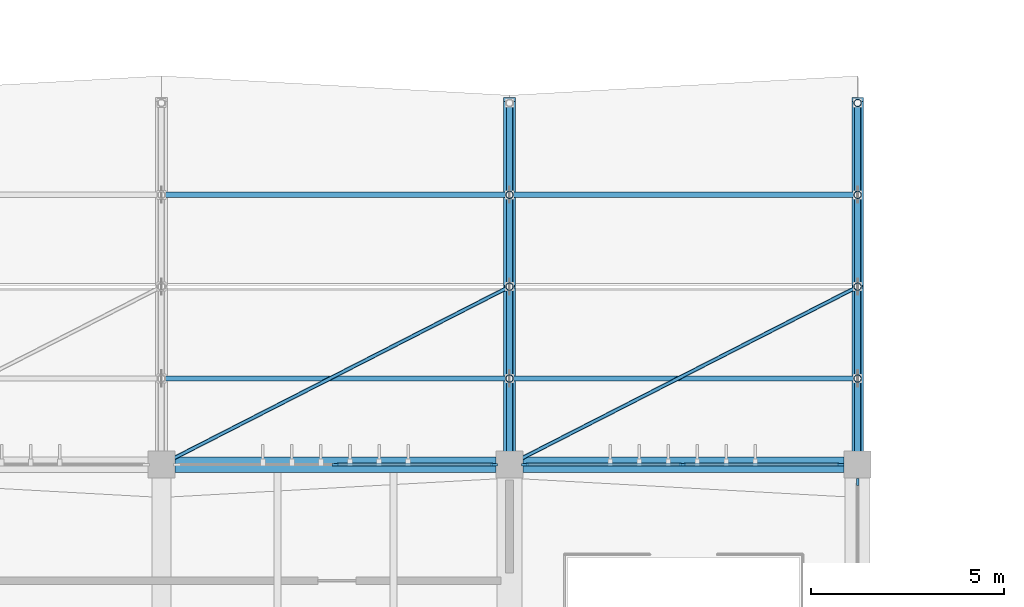
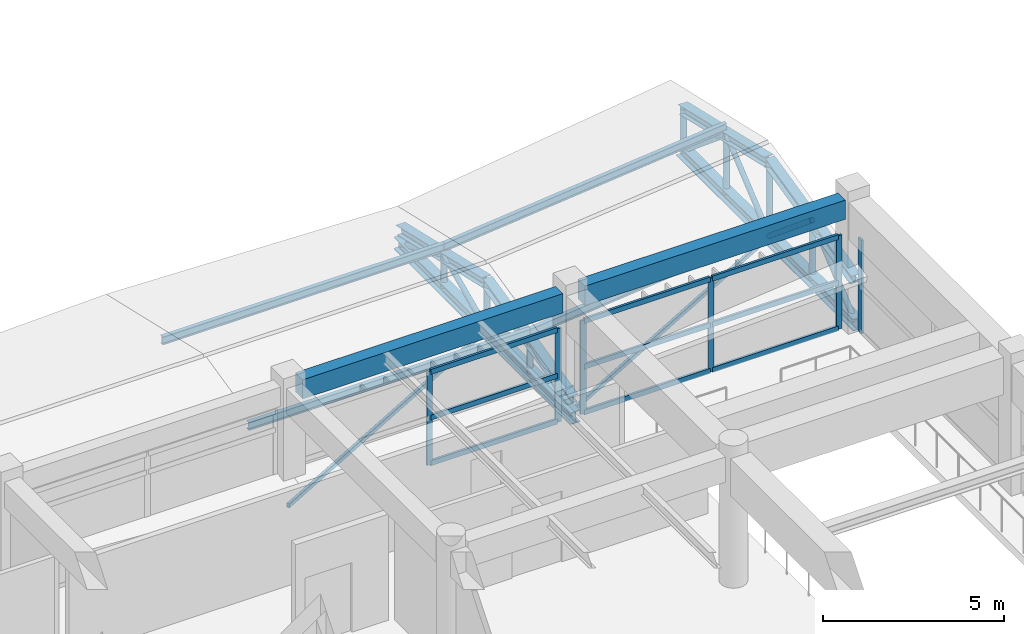
# One storey, part 20 of 90: 40 members, 4 beams, 3 elements without a shape of their own.
"""IFC4 building model written with IfcOpenShell, lengths in metres."""

import ifcopenshell
import ifcopenshell.guid

model = None  # the IFC model being written
_history = None  # IfcOwnerHistory: only IFC2X3 demands one
_inside = {}  # id of a spatial element -> (the spatial element, [elements in it])
_under = {}  # id of a project, library or spatial element -> (it, [spatial elements below it])
_declared = {}  # id of a project -> (the project, [libraries it declares])
_typed = {}  # id of a type object -> (the type object, [elements of that type])
_made_of = {}  # id of a material, layer set ... -> (it, [elements and type objects made of it])


def new_model(schema):
    """Start an empty IFC model of exactly this schema.

    Asked for "IFC4X3", IfcOpenShell would pick the latest addendum, in which some entities
    have other attributes; the version numbers below select the first issue.
    IFC2X3 requires an IfcOwnerHistory on every rooted entity: one is made here for all.
    """
    global model, _history
    if schema == "IFC4X3":
        model = ifcopenshell.file(schema_version=(4, 3, 0, 0))
    else:
        model = ifcopenshell.file(schema=schema)
    _inside.clear()
    _under.clear()
    _declared.clear()
    _typed.clear()
    _made_of.clear()
    _history = None
    if model.schema == "IFC2X3":
        org = make("IfcOrganization", Name="unknown")
        user = make(
            "IfcPersonAndOrganization",
            ThePerson=make("IfcPerson", FamilyName="unknown"),
            TheOrganization=org,
        )
        app = make(
            "IfcApplication",
            ApplicationDeveloper=org,
            Version="unknown",
            ApplicationFullName="unknown",
            ApplicationIdentifier="unknown",
        )
        _history = make(
            "IfcOwnerHistory",
            OwningUser=user,
            OwningApplication=app,
            ChangeAction="ADDED",
            CreationDate=0,
        )
    return model


def make(cls, **values):
    """One entity of the class cls with the attributes given. An attribute that is None is left unset."""
    return model.create_entity(
        cls, **{name: value for name, value in values.items() if value is not None}
    )


def rooted(cls, **values):
    """An entity with a GlobalId (a new one), such as an element, a storey or a relation."""
    return make(cls, GlobalId=ifcopenshell.guid.new(), OwnerHistory=_history, **values)


def si_unit(unit_type, name, prefix=None):
    """IfcSIUnit, for example si_unit("LENGTHUNIT", "METRE", prefix="MILLI")."""
    return make("IfcSIUnit", UnitType=unit_type, Prefix=prefix, Name=name)


def assignment(units):
    """IfcUnitAssignment: the units of a project."""
    return None if units is None else make("IfcUnitAssignment", Units=units)


def point(xyz):
    """IfcCartesianPoint."""
    return None if xyz is None else make("IfcCartesianPoint", Coordinates=xyz)


def direction(xyz):
    """IfcDirection."""
    return None if xyz is None else make("IfcDirection", DirectionRatios=xyz)


def frame(location, z_axis=None, x_axis=None):
    """IfcAxis2Placement3D, a coordinate frame: its origin and axes. An axis left out is left unset."""
    return make(
        "IfcAxis2Placement3D",
        Location=point(location),
        Axis=direction(z_axis),
        RefDirection=direction(x_axis),
    )


def frame_2d(location, x_axis=None):
    """IfcAxis2Placement2D, a coordinate frame in the plane: its origin and x axis."""
    return make(
        "IfcAxis2Placement2D", Location=point(location), RefDirection=direction(x_axis)
    )


def origin():
    """The frame at (0, 0, 0) with its axes left unset."""
    return frame((0.0, 0.0, 0.0))


def origin_2d():
    """The frame at (0, 0) in the plane with its x axis left unset."""
    return frame_2d((0.0, 0.0))


def place(relative_to, where):
    """IfcLocalPlacement: puts the frame where relative to a parent placement (None: the world)."""
    return make(
        "IfcLocalPlacement", PlacementRelTo=relative_to, RelativePlacement=where
    )


def context(
    kind, dimensions, precision=None, world=None, true_north=None, identifier=None
):
    """IfcGeometricRepresentationContext, for example the 3D "Model" context."""
    return make(
        "IfcGeometricRepresentationContext",
        ContextIdentifier=identifier,
        ContextType=kind,
        CoordinateSpaceDimension=dimensions,
        Precision=precision,
        WorldCoordinateSystem=world,
        TrueNorth=true_north,
    )


def subcontext(parent, identifier, kind, view, scale=None):
    """IfcGeometricRepresentationSubContext, for example "Body" below "Model"."""
    return make(
        "IfcGeometricRepresentationSubContext",
        ContextIdentifier=identifier,
        ContextType=kind,
        ParentContext=parent,
        TargetScale=scale,
        TargetView=view,
    )


def project(units=None, contexts=None):
    """IfcProject with its units and contexts."""
    return rooted(
        "IfcProject",
        Name="project",
        RepresentationContexts=contexts,
        UnitsInContext=assignment(units),
    )


def spatial(cls, under=None, at=None, **own):
    """A site, building, storey or space (cls), placed at a placement, below another one or the project."""
    s = rooted(cls, ObjectPlacement=at, **own)
    if under is not None:
        _under.setdefault(under.id(), (under, []))[1].append(s)
    return s


def profile(cls, at=None, kind="AREA", **sizes):
    """A parametric profile (cls). Its sizes go by their IFC names, for example OverallWidth=200.0."""
    return make(cls, ProfileType=kind, Position=at, **sizes)


def rectangle(**sizes):
    """IfcRectangleProfileDef."""
    return profile("IfcRectangleProfileDef", **sizes)


def hollow_rectangle(**sizes):
    """IfcRectangleHollowProfileDef."""
    return profile("IfcRectangleHollowProfileDef", **sizes)


def hollow_circle(**sizes):
    """IfcCircleHollowProfileDef."""
    return profile("IfcCircleHollowProfileDef", **sizes)


def i_section(**sizes):
    """IfcIShapeProfileDef."""
    return profile("IfcIShapeProfileDef", **sizes)


def extrude(swept, where, along, depth):
    """IfcExtrudedAreaSolid: the profile swept, set in the frame where, extruded along a direction by depth."""
    return make(
        "IfcExtrudedAreaSolid",
        SweptArea=swept,
        Position=where,
        ExtrudedDirection=direction(along),
        Depth=depth,
    )


def shape(context_of_items, identifier, shape_type, items):
    """IfcShapeRepresentation: the items that make up one representation, for example the "Body"."""
    return make(
        "IfcShapeRepresentation",
        ContextOfItems=context_of_items,
        RepresentationIdentifier=identifier,
        RepresentationType=shape_type,
        Items=items,
    )


def material(Name=None, Category=None):
    """IfcMaterial."""
    return make("IfcMaterial", Name=Name, Category=Category)


def material_profile(
    of_material, cross_section, Name=None, Category=None, Priority=None
):
    """IfcMaterialProfile: a cross section and its material."""
    return make(
        "IfcMaterialProfile",
        Name=Name,
        Material=of_material,
        Profile=cross_section,
        Priority=Priority,
        Category=Category,
    )


def profile_set(profiles, Name=None, composite=None):
    """IfcMaterialProfileSet."""
    return make(
        "IfcMaterialProfileSet",
        Name=Name,
        MaterialProfiles=profiles,
        CompositeProfile=composite,
    )


def made_of(thing, what):
    """Note that an element or type object is made of a material, layer set ...; save() writes the relation."""
    if what is not None:
        _made_of.setdefault(what.id(), (what, []))[1].append(thing)
    return thing


def type_object(cls, material=None, **own):
    """A type object (cls), such as IfcWallType, which elements share."""
    return made_of(rooted(cls, **own), material)


def element(
    cls,
    number,
    at=None,
    inside=None,
    cuts=None,
    type_object=None,
    material=None,
    context=None,
    identifier="Body",
    shape_type=None,
    held_by="IfcProductDefinitionShape",
    body=None,
    shapes=None,
    **own,
):
    """One element of the class cls, such as IfcWall. Its Tag is "e" and its number.

    at: its placement. inside: the storey or other place that contains it. cuts: it is an
    opening in that element (IfcRelVoidsElement). A single representation is given by context,
    identifier, shape_type and body (its items); several are given by shapes. held_by: the class
    of the entity that holds the representations. save() writes the other relations.
    """
    e = rooted(cls, Tag="e%d" % number, ObjectPlacement=at, **own)
    if body is not None:
        shapes = [shape(context, identifier, shape_type, body)]
    if shapes is not None:
        e.Representation = make(held_by, Representations=shapes)
    if inside is not None:
        _inside.setdefault(inside.id(), (inside, []))[1].append(e)
    if cuts is not None:
        rooted(
            "IfcRelVoidsElement", RelatingBuildingElement=cuts, RelatedOpeningElement=e
        )
    if type_object is not None:
        _typed.setdefault(type_object.id(), (type_object, []))[1].append(e)
    return made_of(e, material)


def aggregate(whole, parts):
    """IfcRelAggregates: a whole, such as a stair, and the parts it consists of."""
    return rooted("IfcRelAggregates", RelatingObject=whole, RelatedObjects=parts)


def save(model, path):
    """Write the relations noted so far, then the file.

    IfcRelAggregates (storeys below a building ...), IfcRelContainedInSpatialStructure (elements
    in a storey), IfcRelDefinesByType, IfcRelAssociatesMaterial and IfcRelDeclares: one each for
    every whole, place, type object, material and project.
    """
    for whole, parts in _under.values():
        aggregate(whole, parts)
    for where, things in _inside.values():
        rooted(
            "IfcRelContainedInSpatialStructure",
            RelatedElements=things,
            RelatingStructure=where,
        )
    for kind, things in _typed.values():
        rooted("IfcRelDefinesByType", RelatedObjects=things, RelatingType=kind)
    for what, things in _made_of.values():
        rooted("IfcRelAssociatesMaterial", RelatedObjects=things, RelatingMaterial=what)
    for by, libraries in _declared.values():
        rooted("IfcRelDeclares", RelatingContext=by, RelatedDefinitions=libraries)
    model.write(path)


model = new_model("IFC4")

# Units and contexts
model_context = context("Model", 3, precision=1e-05, world=origin(), true_north=direction((0.0, 1.0)))
body_context = subcontext(model_context, "Body", "Model", "MODEL_VIEW")
ifc_project = project(units=[si_unit("LENGTHUNIT", "METRE"), si_unit("AREAUNIT", "SQUARE_METRE"), si_unit("VOLUMEUNIT", "CUBIC_METRE"), si_unit("PLANEANGLEUNIT", "RADIAN"), si_unit("MASSUNIT", "GRAM", prefix="KILO")], contexts=[model_context])

# Site, building, storey
site_placement = place(None, origin())
site = spatial("IfcSite", under=ifc_project, at=site_placement, CompositionType="ELEMENT")
building_placement = place(site_placement, origin())
building = spatial("IfcBuilding", under=site, at=building_placement, Name="Bozkorgan Art Gallery", CompositionType="ELEMENT")
storey_placement = place(building_placement, frame((0.0, 0.0, 5.39990234375)))
storey = spatial("IfcBuildingStorey", under=building, at=storey_placement, Name="L01", CompositionType="ELEMENT", Elevation=5.39990234375)

# Beams
ifc_material_1 = material(Name="Concrete C35/45", Category="concrete")
ifc_material_profile_1 = material_profile(ifc_material_1, rectangle(XDim=0.39990234375, YDim=0.64990234375, at=origin_2d()), Name="RC 400x650")
ifc_profile_set_1 = profile_set([ifc_material_profile_1], Name="Concrete C35/45")
beam_type_1 = type_object("IfcBeamType", Name="BEAM-SP-69", PredefinedType="SPANDREL", material=ifc_profile_set_1)
for number, where, z_axis, x_axis, name in (
    (1, (47.35009765625, 20.0, 4.114990234375), (1.0, 0.0, 0.0), (0.0, 1.0, 0.0), "V1 L01 spandrel X (47-56, 20.0)"),
    (2, (56.35009765625, 20.0, 4.114990234375), (1.0, 0.0, 0.0), (0.0, 1.0, 0.0), "V1 L01 spandrel X (56-65, 20.0)"),
):
    element("IfcBeam", number, at=place(storey_placement, frame(where, z_axis=z_axis, x_axis=x_axis)), inside=storey, type_object=beam_type_1, Name=name, PredefinedType="SPANDREL", context=body_context, shape_type="SweptSolid", body=[
        extrude(rectangle(XDim=0.39990234375, YDim=0.64990234375, at=origin_2d()), origin(), (0.0, 0.0, 1.0), 8.2998046875),
    ])
ifc_material_2 = material(Name="Steel S355J2", Category="steel")
ifc_material_profile_2 = material_profile(ifc_material_2, i_section(OverallWidth=0.300048828125, OverallDepth=0.39990234375, WebThickness=0.013427734375, FlangeThickness=0.02392578125, FilletRadius=0.027099609375, at=origin_2d()), Name="HEB 400")
ifc_profile_set_2 = profile_set([ifc_material_profile_2], Name="Steel S355J2")
beam_type_2 = type_object("IfcBeamType", Name="BEAM-TB-49", PredefinedType="BEAM", material=ifc_profile_set_2)
for number, where, z_axis, x_axis, name in (
    (3, (56.0, 19.7099609375, 0.2001953125), (0.0, 1.0, 0.0), (-1.0, 0.0, 0.0), "ROOF-V1-STEP1 roof truss 4 bottom chord"),
    (4, (65.0, 19.7099609375, 0.2001953125), (0.0, 1.0, 0.0), (-1.0, 0.0, 0.0), "ROOF-V1-STEP1 roof truss 5 bottom chord"),
):
    element("IfcBeam", number, at=place(storey_placement, frame(where, z_axis=z_axis, x_axis=x_axis)), inside=storey, type_object=beam_type_2, Name=name, PredefinedType="BEAM", context=body_context, shape_type="SweptSolid", body=[
        extrude(i_section(OverallWidth=0.300048828125, OverallDepth=0.39990234375, WebThickness=0.013427734375, FlangeThickness=0.02392578125, FilletRadius=0.027099609375, at=origin_2d()), origin(), (0.0, 0.0, 1.0), 9.780029296875),
    ])

# Curtain wall, members
ifc_material_3 = material(Name="Anodised Bronze Aluminium", Category="aluminium")
curtain_wall_type_1 = type_object("IfcCurtainWallType", Name="CW-CW-83", PredefinedType="NOTDEFINED", material=ifc_material_3)
curtain_wall_1_placement = place(storey_placement, origin())
curtain_wall_1 = element("IfcCurtainWall", 5, at=curtain_wall_1_placement, inside=storey, type_object=curtain_wall_type_1, Name="L01 unitised curtain wall CW-V1-L01-1N-09", PredefinedType="NOTDEFINED")
ifc_material_profile_3 = material_profile(ifc_material_3, rectangle(XDim=0.06494140625, YDim=0.179931640625, at=origin_2d()), Name="ALU MULLION 65x180")
ifc_profile_set_3 = profile_set([ifc_material_profile_3], Name="Anodised Bronze Aluminium")
member_type_1 = type_object("IfcMemberType", Name="CWM-01", PredefinedType="MULLION", material=ifc_profile_set_3)
member_1_placement = place(storey_placement, frame((51.5, 20.0, 0.02001953125), z_axis=(0.0, 0.0, 1.0), x_axis=(0.0, 1.0, 0.0)))
member_1 = element("IfcMember", 6, at=member_1_placement, type_object=member_type_1, Name="CW-83 mullion 2", PredefinedType="MULLION", context=body_context, shape_type="SweptSolid", body=[
    extrude(rectangle(XDim=0.06494140625, YDim=0.179931640625, at=origin_2d()), origin(), (0.0, 0.0, 1.0), 3.155029296875),
])
member_2_placement = place(storey_placement, frame((55.6025390625, 20.0, 0.02001953125), z_axis=(0.0, 0.0, 1.0), x_axis=(0.0, 1.0, 0.0)))
member_2 = element("IfcMember", 7, at=member_2_placement, type_object=member_type_1, Name="CW-83 mullion 3", PredefinedType="MULLION", context=body_context, shape_type="SweptSolid", body=[
    extrude(rectangle(XDim=0.06494140625, YDim=0.179931640625, at=origin_2d()), origin(), (0.0, 0.0, 1.0), 3.155029296875),
])

curtain_wall_type_2 = type_object("IfcCurtainWallType", Name="CW-CW-27", PredefinedType="NOTDEFINED", material=ifc_material_3)
curtain_wall_2_placement = place(storey_placement, origin())
curtain_wall_2 = element("IfcCurtainWall", 8, at=curtain_wall_2_placement, inside=storey, type_object=curtain_wall_type_2, Name="L01 unitised curtain wall CW-V1-L01-1N-11", PredefinedType="NOTDEFINED")
member_3_placement = place(storey_placement, frame((56.3974609375, 20.0, 0.02001953125), z_axis=(0.0, 0.0, 1.0), x_axis=(0.0, 1.0, 0.0)))
member_3 = element("IfcMember", 9, at=member_3_placement, type_object=member_type_1, Name="CW-27 mullion 1", PredefinedType="MULLION", context=body_context, shape_type="SweptSolid", body=[
    extrude(rectangle(XDim=0.06494140625, YDim=0.179931640625, at=origin_2d()), origin(), (0.0, 0.0, 1.0), 3.155029296875),
])
member_4_placement = place(storey_placement, frame((60.47509765625, 20.0, 0.02001953125), z_axis=(0.0, 0.0, 1.0), x_axis=(0.0, 1.0, 0.0)))
member_4 = element("IfcMember", 10, at=member_4_placement, type_object=member_type_1, Name="CW-27 mullion 2", PredefinedType="MULLION", context=body_context, shape_type="SweptSolid", body=[
    extrude(rectangle(XDim=0.06494140625, YDim=0.179931640625, at=origin_2d()), origin(), (0.0, 0.0, 1.0), 3.155029296875),
])
member_5_placement = place(storey_placement, frame((64.552490234375, 20.0, 0.02001953125), z_axis=(0.0, 0.0, 1.0), x_axis=(0.0, 1.0, 0.0)))
member_5 = element("IfcMember", 11, at=member_5_placement, type_object=member_type_1, Name="CW-27 mullion 3", PredefinedType="MULLION", context=body_context, shape_type="SweptSolid", body=[
    extrude(rectangle(XDim=0.06494140625, YDim=0.179931640625, at=origin_2d()), origin(), (0.0, 0.0, 1.0), 3.155029296875),
])

# Curtain wall, member
curtain_wall_type_3 = type_object("IfcCurtainWallType", Name="CW-CW-73", PredefinedType="NOTDEFINED", material=ifc_material_3)
curtain_wall_3_placement = place(storey_placement, origin())
curtain_wall_3 = element("IfcCurtainWall", 12, at=curtain_wall_3_placement, inside=storey, type_object=curtain_wall_type_3, Name="L01 unitised curtain wall CW-V1-L01-1E-15", PredefinedType="NOTDEFINED")
member_6_placement = place(storey_placement, frame((65.0, 19.552490234375, 0.02001953125), z_axis=(0.0, 0.0, 1.0), x_axis=(-1.0, 0.0, 0.0)))
member_6 = element("IfcMember", 13, at=member_6_placement, type_object=member_type_1, Name="CW-73 mullion 3", PredefinedType="MULLION", context=body_context, shape_type="SweptSolid", body=[
    extrude(rectangle(XDim=0.06494140625, YDim=0.179931640625, at=origin_2d()), origin(), (0.0, 0.0, 1.0), 3.155029296875),
])
aggregate(curtain_wall_3, [member_6])

# Member
ifc_material_profile_4 = material_profile(ifc_material_3, rectangle(XDim=0.074951171875, YDim=0.169921875, at=origin_2d()), Name="ALU TRANSOM 75x170")
ifc_profile_set_4 = profile_set([ifc_material_profile_4], Name="Anodised Bronze Aluminium")
member_type_2 = type_object("IfcMemberType", Name="CWT-02", PredefinedType="USERDEFINED", material=ifc_profile_set_4)
member_7_placement = place(storey_placement, frame((51.532470703125, 20.0, 0.0576171875), z_axis=(1.0, 0.0, 0.0), x_axis=(0.0, 1.0, 0.0)))
member_7 = element("IfcMember", 14, at=member_7_placement, type_object=member_type_2, Name="CW-83 transom 2.1", ObjectType="TRANSOM", PredefinedType="USERDEFINED", context=body_context, shape_type="SweptSolid", body=[
    extrude(rectangle(XDim=0.074951171875, YDim=0.169921875, at=origin_2d()), origin(), (0.0, 0.0, 1.0), 4.03759765625),
])

member_8_placement = place(storey_placement, frame((51.532470703125, 20.0, 1.59716796875), z_axis=(1.0, 0.0, 0.0), x_axis=(0.0, 1.0, 0.0)))
member_8 = element("IfcMember", 15, at=member_8_placement, type_object=member_type_2, Name="CW-83 transom 2.2", ObjectType="TRANSOM", PredefinedType="USERDEFINED", context=body_context, shape_type="SweptSolid", body=[
    extrude(rectangle(XDim=0.074951171875, YDim=0.169921875, at=origin_2d()), origin(), (0.0, 0.0, 1.0), 4.03759765625),
])

member_9_placement = place(storey_placement, frame((51.532470703125, 20.0, 3.1376953125), z_axis=(1.0, 0.0, 0.0), x_axis=(0.0, 1.0, 0.0)))
member_9 = element("IfcMember", 16, at=member_9_placement, type_object=member_type_2, Name="CW-83 transom 2.3", ObjectType="TRANSOM", PredefinedType="USERDEFINED", context=body_context, shape_type="SweptSolid", body=[
    extrude(rectangle(XDim=0.074951171875, YDim=0.169921875, at=origin_2d()), origin(), (0.0, 0.0, 1.0), 4.03759765625),
])

aggregate(curtain_wall_1, [member_1, member_2, member_7, member_8, member_9])

member_10_placement = place(storey_placement, frame((56.429931640625, 20.0, 0.0576171875), z_axis=(1.0, 0.0, 0.0), x_axis=(0.0, 1.0, 0.0)))
member_10 = element("IfcMember", 17, at=member_10_placement, type_object=member_type_2, Name="CW-27 transom 1.1", ObjectType="TRANSOM", PredefinedType="USERDEFINED", context=body_context, shape_type="SweptSolid", body=[
    extrude(rectangle(XDim=0.074951171875, YDim=0.169921875, at=origin_2d()), origin(), (0.0, 0.0, 1.0), 4.012451171875),
])

member_11_placement = place(storey_placement, frame((56.429931640625, 20.0, 1.59716796875), z_axis=(1.0, 0.0, 0.0), x_axis=(0.0, 1.0, 0.0)))
member_11 = element("IfcMember", 18, at=member_11_placement, type_object=member_type_2, Name="CW-27 transom 1.2", ObjectType="TRANSOM", PredefinedType="USERDEFINED", context=body_context, shape_type="SweptSolid", body=[
    extrude(rectangle(XDim=0.074951171875, YDim=0.169921875, at=origin_2d()), origin(), (0.0, 0.0, 1.0), 4.012451171875),
])

member_12_placement = place(storey_placement, frame((56.429931640625, 20.0, 3.1376953125), z_axis=(1.0, 0.0, 0.0), x_axis=(0.0, 1.0, 0.0)))
member_12 = element("IfcMember", 19, at=member_12_placement, type_object=member_type_2, Name="CW-27 transom 1.3", ObjectType="TRANSOM", PredefinedType="USERDEFINED", context=body_context, shape_type="SweptSolid", body=[
    extrude(rectangle(XDim=0.074951171875, YDim=0.169921875, at=origin_2d()), origin(), (0.0, 0.0, 1.0), 4.012451171875),
])

member_13_placement = place(storey_placement, frame((60.507568359375, 20.0, 0.0576171875), z_axis=(1.0, 0.0, 0.0), x_axis=(0.0, 1.0, 0.0)))
member_13 = element("IfcMember", 20, at=member_13_placement, type_object=member_type_2, Name="CW-27 transom 2.1", ObjectType="TRANSOM", PredefinedType="USERDEFINED", context=body_context, shape_type="SweptSolid", body=[
    extrude(rectangle(XDim=0.074951171875, YDim=0.169921875, at=origin_2d()), origin(), (0.0, 0.0, 1.0), 4.012451171875),
])

member_14_placement = place(storey_placement, frame((60.507568359375, 20.0, 1.59716796875), z_axis=(1.0, 0.0, 0.0), x_axis=(0.0, 1.0, 0.0)))
member_14 = element("IfcMember", 21, at=member_14_placement, type_object=member_type_2, Name="CW-27 transom 2.2", ObjectType="TRANSOM", PredefinedType="USERDEFINED", context=body_context, shape_type="SweptSolid", body=[
    extrude(rectangle(XDim=0.074951171875, YDim=0.169921875, at=origin_2d()), origin(), (0.0, 0.0, 1.0), 4.012451171875),
])

member_15_placement = place(storey_placement, frame((60.507568359375, 20.0, 3.1376953125), z_axis=(1.0, 0.0, 0.0), x_axis=(0.0, 1.0, 0.0)))
member_15 = element("IfcMember", 22, at=member_15_placement, type_object=member_type_2, Name="CW-27 transom 2.3", ObjectType="TRANSOM", PredefinedType="USERDEFINED", context=body_context, shape_type="SweptSolid", body=[
    extrude(rectangle(XDim=0.074951171875, YDim=0.169921875, at=origin_2d()), origin(), (0.0, 0.0, 1.0), 4.012451171875),
])

aggregate(curtain_wall_2, [member_3, member_4, member_5, member_10, member_11, member_12, member_13, member_14, member_15])

# Members
ifc_material_profile_5 = material_profile(ifc_material_2, i_section(OverallWidth=0.135009765625, OverallDepth=0.27001953125, WebThickness=0.006591796875, FlangeThickness=0.01025390625, FilletRadius=0.014892578125, at=origin_2d()), Name="IPE 270")
ifc_profile_set_5 = profile_set([ifc_material_profile_5], Name="Steel S355J2")
member_type_3 = type_object("IfcMemberType", Name="MEMBER-PR-57", PredefinedType="PURLIN", material=ifc_profile_set_5)
for number, where, z_axis, x_axis, name in (
    (23, (47.0, 22.22509765625, 1.5517578125), (0.999999805365, 0.0, 0.000623914809), (0.0, 1.0, 0.0), "ROOF-V1-STEP1 roof purlin 3S"),
    (24, (47.0, 26.97509765625, 1.5517578125), (0.999999805365, 0.0, 0.000623914809), (0.0, 1.0, 0.0), "ROOF-V1-STEP1 roof purlin 3N"),
):
    element("IfcMember", number, at=place(storey_placement, frame(where, z_axis=z_axis, x_axis=x_axis)), inside=storey, type_object=member_type_3, Name=name, PredefinedType="PURLIN", context=body_context, shape_type="SweptSolid", body=[
        extrude(i_section(OverallWidth=0.135009765625, OverallDepth=0.27001953125, WebThickness=0.006591796875, FlangeThickness=0.01025390625, FilletRadius=0.014892578125, at=origin_2d()), origin(), (0.0, 0.0, 1.0), 9.0),
    ])
for number, where, z_axis, x_axis, name in (
    (25, (56.0, 22.22509765625, 1.557373046875), (0.994928107712, 0.0, 0.100588570352), (0.0, 1.0, 0.0), "ROOF-V1-STEP1 roof purlin 4S"),
    (26, (56.0, 26.97509765625, 1.557373046875), (0.994928107712, 0.0, 0.100588570352), (0.0, 1.0, 0.0), "ROOF-V1-STEP1 roof purlin 4N"),
):
    element("IfcMember", number, at=place(storey_placement, frame(where, z_axis=z_axis, x_axis=x_axis)), inside=storey, type_object=member_type_3, Name=name, PredefinedType="PURLIN", context=body_context, shape_type="SweptSolid", body=[
        extrude(i_section(OverallWidth=0.135009765625, OverallDepth=0.27001953125, WebThickness=0.006591796875, FlangeThickness=0.01025390625, FilletRadius=0.014892578125, at=origin_2d()), origin(), (0.0, 0.0, 1.0), 9.0458984375),
    ])
ifc_material_profile_6 = material_profile(ifc_material_2, i_section(OverallWidth=0.300048828125, OverallDepth=0.31005859375, WebThickness=0.009033203125, FlangeThickness=0.015380859375, FilletRadius=0.027099609375, at=origin_2d()), Name="HEA 320")
ifc_profile_set_6 = profile_set([ifc_material_profile_6], Name="Steel S355J2")
member_type_4 = type_object("IfcMemberType", Name="MEMBER-TC-13", PredefinedType="CHORD", material=ifc_profile_set_6)
for number, where, z_axis, x_axis, name in (
    (27, (56.0, 19.85009765625, 0.718994140625), (0.0, 0.974367556786, 0.224961917408), (-1.0, 0.0, 0.0), "ROOF-V1-STEP1 roof truss 4 south top chord"),
    (28, (56.0, 24.60009765625, 1.815673828125), (0.0, 0.974367556786, -0.224961917408), (-1.0, 0.0, 0.0), "ROOF-V1-STEP1 roof truss 4 north top chord"),
    (29, (65.0, 19.85009765625, 1.629150390625), (0.0, 0.974378533189, 0.224914370505), (-1.0, 0.0, 0.0), "ROOF-V1-STEP1 roof truss 5 south top chord"),
    (30, (65.0, 24.60009765625, 2.7255859375), (0.0, 0.974378533189, -0.224914370505), (-1.0, 0.0, 0.0), "ROOF-V1-STEP1 roof truss 5 north top chord"),
):
    element("IfcMember", number, at=place(storey_placement, frame(where, z_axis=z_axis, x_axis=x_axis)), inside=storey, type_object=member_type_4, Name=name, PredefinedType="CHORD", context=body_context, shape_type="SweptSolid", body=[
        extrude(i_section(OverallWidth=0.300048828125, OverallDepth=0.31005859375, WebThickness=0.009033203125, FlangeThickness=0.015380859375, FilletRadius=0.027099609375, at=origin_2d()), origin(), (0.0, 0.0, 1.0), 4.875),
    ])
ifc_material_profile_7 = material_profile(ifc_material_2, hollow_circle(Radius=0.096923828125, WallThickness=0.008056640625, at=origin_2d()), Name="CHS 193.7x8")
ifc_profile_set_7 = profile_set([ifc_material_profile_7], Name="Steel S355J2")
member_type_5 = type_object("IfcMemberType", Name="MEMBER-TP-46", PredefinedType="POST", material=ifc_profile_set_7)
member_16_placement = place(storey_placement, frame((56.0, 22.22509765625, 0.2001953125), z_axis=(0.0, 0.0, 1.0), x_axis=(1.0, 0.0, 0.0)))
element("IfcMember", 31, at=member_16_placement, inside=storey, type_object=member_type_5, Name="ROOF-V1-STEP1 roof truss 4 post 1", PredefinedType="POST", context=body_context, shape_type="SweptSolid", body=[
    extrude(hollow_circle(Radius=0.096923828125, WallThickness=0.008056640625, at=origin_2d()), origin(), (0.0, 0.0, 1.0), 1.067138671875),
])
member_17_placement = place(storey_placement, frame((56.0, 24.60009765625, 0.2001953125), z_axis=(0.0, 0.0, 1.0), x_axis=(1.0, 0.0, 0.0)))
element("IfcMember", 32, at=member_17_placement, inside=storey, type_object=member_type_5, Name="ROOF-V1-STEP1 roof truss 4 post 2", PredefinedType="POST", context=body_context, shape_type="SweptSolid", body=[
    extrude(hollow_circle(Radius=0.096923828125, WallThickness=0.008056640625, at=origin_2d()), origin(), (0.0, 0.0, 1.0), 1.615478515625),
])
member_18_placement = place(storey_placement, frame((56.0, 26.97509765625, 0.2001953125), z_axis=(0.0, 0.0, 1.0), x_axis=(1.0, 0.0, 0.0)))
element("IfcMember", 33, at=member_18_placement, inside=storey, type_object=member_type_5, Name="ROOF-V1-STEP1 roof truss 4 post 3", PredefinedType="POST", context=body_context, shape_type="SweptSolid", body=[
    extrude(hollow_circle(Radius=0.096923828125, WallThickness=0.008056640625, at=origin_2d()), origin(), (0.0, 0.0, 1.0), 1.067138671875),
])
member_19_placement = place(storey_placement, frame((65.0, 22.22509765625, 0.2001953125), z_axis=(0.0, 0.0, 1.0), x_axis=(1.0, 0.0, 0.0)))
element("IfcMember", 34, at=member_19_placement, inside=storey, type_object=member_type_5, Name="ROOF-V1-STEP1 roof truss 5 post 1", PredefinedType="POST", context=body_context, shape_type="SweptSolid", body=[
    extrude(hollow_circle(Radius=0.096923828125, WallThickness=0.008056640625, at=origin_2d()), origin(), (0.0, 0.0, 1.0), 1.977294921875),
])
member_20_placement = place(storey_placement, frame((65.0, 24.60009765625, 0.2001953125), z_axis=(0.0, 0.0, 1.0), x_axis=(1.0, 0.0, 0.0)))
element("IfcMember", 35, at=member_20_placement, inside=storey, type_object=member_type_5, Name="ROOF-V1-STEP1 roof truss 5 post 2", PredefinedType="POST", context=body_context, shape_type="SweptSolid", body=[
    extrude(hollow_circle(Radius=0.096923828125, WallThickness=0.008056640625, at=origin_2d()), origin(), (0.0, 0.0, 1.0), 2.525390625),
])
member_21_placement = place(storey_placement, frame((65.0, 26.97509765625, 0.2001953125), z_axis=(0.0, 0.0, 1.0), x_axis=(1.0, 0.0, 0.0)))
element("IfcMember", 36, at=member_21_placement, inside=storey, type_object=member_type_5, Name="ROOF-V1-STEP1 roof truss 5 post 3", PredefinedType="POST", context=body_context, shape_type="SweptSolid", body=[
    extrude(hollow_circle(Radius=0.096923828125, WallThickness=0.008056640625, at=origin_2d()), origin(), (0.0, 0.0, 1.0), 1.977294921875),
])
member_22_placement = place(storey_placement, frame((65.0, 29.35009765625, 0.2001953125), z_axis=(0.0, 0.0, 1.0), x_axis=(1.0, 0.0, 0.0)))
element("IfcMember", 37, at=member_22_placement, inside=storey, type_object=member_type_5, Name="ROOF-V1-STEP1 roof truss 5 post 4", PredefinedType="POST", context=body_context, shape_type="SweptSolid", body=[
    extrude(hollow_circle(Radius=0.096923828125, WallThickness=0.008056640625, at=origin_2d()), origin(), (0.0, 0.0, 1.0), 1.428955078125),
])
ifc_material_profile_8 = material_profile(ifc_material_2, hollow_circle(Radius=0.084228515625, WallThickness=0.008056640625, at=origin_2d()), Name="CHS 168.3x8")
ifc_profile_set_8 = profile_set([ifc_material_profile_8], Name="Steel S355J2")
member_type_6 = type_object("IfcMemberType", Name="MEMBER-TW-40", PredefinedType="BRACE", material=ifc_profile_set_8)
for number, where, z_axis, x_axis, name in (
    (38, (56.0, 19.85009765625, 0.2001953125), (0.0, 0.912152947646, 0.409849972673), (-1.0, 0.0, 0.0), "ROOF-V1-STEP1 roof truss 4 diagonal 1"),
    (39, (56.0, 22.22509765625, 1.267333984375), (0.0, 0.912152947646, -0.409849972673), (-1.0, 0.0, 0.0), "ROOF-V1-STEP1 roof truss 4 diagonal 2"),
    (40, (56.0, 24.60009765625, 0.2001953125), (0.0, 0.912152947646, 0.409849972673), (-1.0, 0.0, 0.0), "ROOF-V1-STEP1 roof truss 4 diagonal 3"),
    (41, (56.0, 26.97509765625, 1.267333984375), (0.0, 0.912152947646, -0.409849972673), (-1.0, 0.0, 0.0), "ROOF-V1-STEP1 roof truss 4 diagonal 4"),
):
    element("IfcMember", number, at=place(storey_placement, frame(where, z_axis=z_axis, x_axis=x_axis)), inside=storey, type_object=member_type_6, Name=name, PredefinedType="BRACE", context=body_context, shape_type="SweptSolid", body=[
        extrude(hollow_circle(Radius=0.084228515625, WallThickness=0.008056640625, at=origin_2d()), origin(), (0.0, 0.0, 1.0), 2.603759765625),
    ])
for number, where, z_axis, x_axis, name in (
    (42, (65.0, 19.85009765625, 0.2001953125), (0.0, 0.768519068031, 0.639826884456), (-1.0, 0.0, 0.0), "ROOF-V1-STEP1 roof truss 5 diagonal 1"),
    (43, (65.0, 22.22509765625, 2.177490234375), (0.0, 0.768519068031, -0.639826884456), (-1.0, 0.0, 0.0), "ROOF-V1-STEP1 roof truss 5 diagonal 2"),
    (44, (65.0, 24.60009765625, 0.2001953125), (0.0, 0.768519068031, 0.639826884456), (-1.0, 0.0, 0.0), "ROOF-V1-STEP1 roof truss 5 diagonal 3"),
    (45, (65.0, 26.97509765625, 2.177490234375), (0.0, 0.768519068031, -0.639826884456), (-1.0, 0.0, 0.0), "ROOF-V1-STEP1 roof truss 5 diagonal 4"),
):
    element("IfcMember", number, at=place(storey_placement, frame(where, z_axis=z_axis, x_axis=x_axis)), inside=storey, type_object=member_type_6, Name=name, PredefinedType="BRACE", context=body_context, shape_type="SweptSolid", body=[
        extrude(hollow_circle(Radius=0.084228515625, WallThickness=0.008056640625, at=origin_2d()), origin(), (0.0, 0.0, 1.0), 3.09033203125),
    ])
ifc_material_profile_9 = material_profile(ifc_material_2, hollow_rectangle(XDim=0.10009765625, YDim=0.14990234375, WallThickness=0.008056640625, InnerFilletRadius=0.011962890625, OuterFilletRadius=0.02001953125, at=origin_2d()), Name="RHS 150x100x8")
ifc_profile_set_9 = profile_set([ifc_material_profile_9], Name="Steel S355J2")
member_type_7 = type_object("IfcMemberType", Name="MEMBER-WB-10", PredefinedType="BRACE", material=ifc_profile_set_9)
for number, where, z_axis, x_axis, name in (
    (46, (47.0, 20.0, 0.2001953125), (0.890430766754, 0.455118720355, 0.0), (-0.455118720355, 0.890430766754, 0.0), "ROOF-V1-STEP1 roof diaphragm wind brace 3"),
    (47, (56.0, 20.0, 0.2001953125), (0.890430766754, 0.455118720355, 0.0), (-0.455118720355, 0.890430766754, 0.0), "ROOF-V1-STEP1 roof diaphragm wind brace 4"),
):
    element("IfcMember", number, at=place(storey_placement, frame(where, z_axis=z_axis, x_axis=x_axis)), inside=storey, type_object=member_type_7, Name=name, PredefinedType="BRACE", context=body_context, shape_type="SweptSolid", body=[
        extrude(hollow_rectangle(XDim=0.10009765625, YDim=0.14990234375, WallThickness=0.008056640625, InnerFilletRadius=0.011962890625, OuterFilletRadius=0.02001953125, at=origin_2d()), origin(), (0.0, 0.0, 1.0), 10.107421875),
    ])

save(model, "model.ifc")
